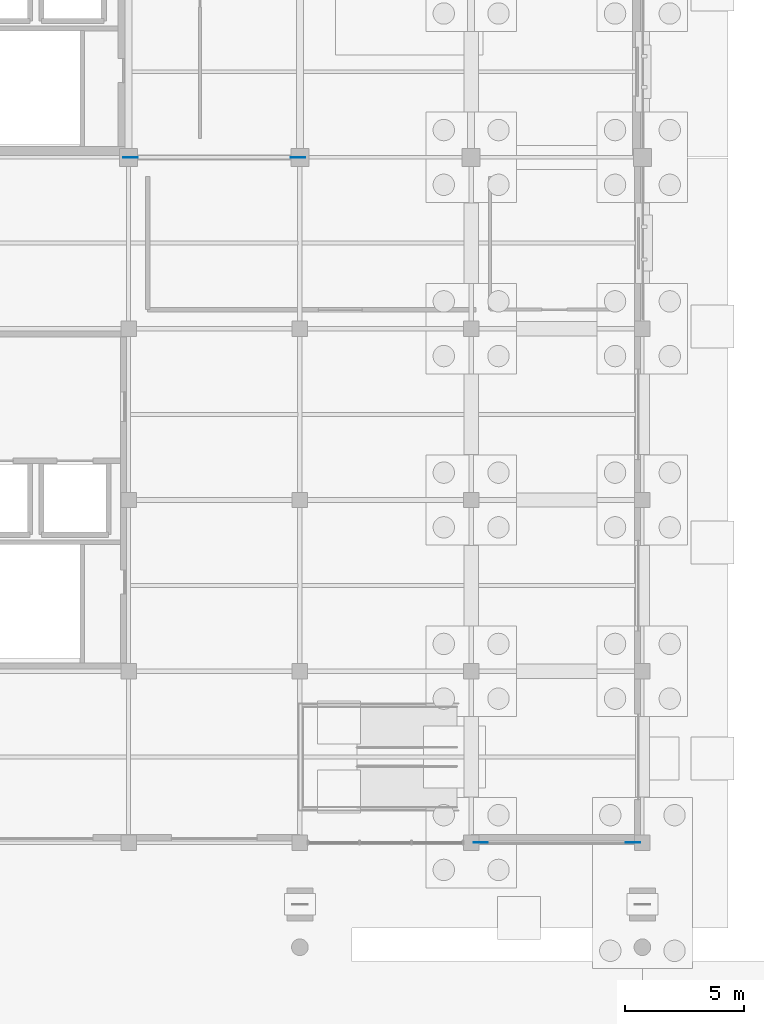
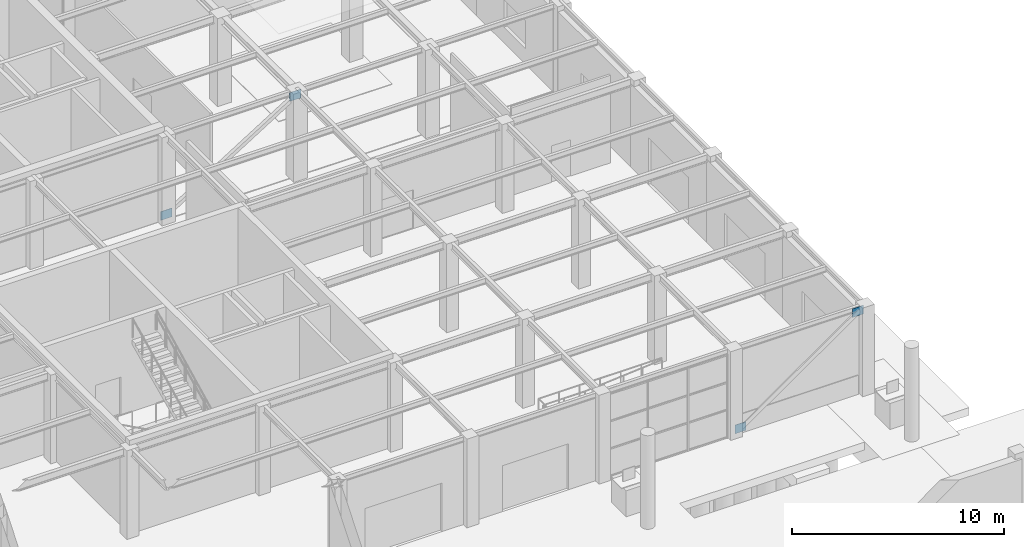
# One storey, part 54 of 75: 4 plates.
"""IFC4 building model written with IfcOpenShell, lengths in metres."""

from ifc_helpers import new_model, si_unit, direction, frame, origin, origin_2d, place, context, subcontext, project, spatial, rectangle, extrude, material, layer, layer_set, type_object, element, save


model = new_model("IFC4")

# Units and contexts
model_context = context("Model", 3, precision=1e-05, world=origin(), true_north=direction((0.0, 1.0)))
body_context = subcontext(model_context, "Body", "Model", "MODEL_VIEW")
ifc_project = project(units=[si_unit("LENGTHUNIT", "METRE"), si_unit("AREAUNIT", "SQUARE_METRE"), si_unit("VOLUMEUNIT", "CUBIC_METRE"), si_unit("PLANEANGLEUNIT", "RADIAN"), si_unit("MASSUNIT", "GRAM", prefix="KILO")], contexts=[model_context])

# Site, building, storey
site_placement = place(None, origin())
site = spatial("IfcSite", under=ifc_project, at=site_placement, CompositionType="ELEMENT")
building_placement = place(site_placement, origin())
building = spatial("IfcBuilding", under=site, at=building_placement, Name="Leyfeld Transit Interchange", CompositionType="ELEMENT")
storey_placement = place(building_placement, origin())
storey = spatial("IfcBuildingStorey", under=building, at=storey_placement, Name="L00", CompositionType="ELEMENT", Elevation=0.0)

# Plates
ifc_material = material(Name="Steel S355J2", Category="steel")
ifc_layer = layer(ifc_material, 0.02490234375, Name="Steel S355J2")
ifc_layer_set = layer_set([ifc_layer], Name="Steel S355J2")
plate_type = type_object("IfcPlateType", Name="PLT-GUS-25", PredefinedType="SHEET", material=ifc_layer_set)
for number, where, z_axis, x_axis, name in (
    (1, (21.679931640625, 93.60009765625, 0.050048828125), (0.0, 0.0, 1.0), (1.0, 0.0, 0.0), "Bracing Lower Gusset 001"),
    (2, (28.719970703125, 93.60009765625, 4.449951171875), (0.0, 0.0, 1.0), (1.0, 0.0, 0.0), "Bracing Upper Gusset 001"),
    (3, (36.39990234375, 64.800048828125, 0.050048828125), (0.0, 0.0, 1.0), (1.0, 0.0, 0.0), "Bracing Lower Gusset 004"),
    (4, (42.800048828125, 64.800048828125, 4.52001953125), (0.0, 0.0, 1.0), (1.0, 0.0, 0.0), "Bracing Upper Gusset 004"),
):
    element("IfcPlate", number, at=place(storey_placement, frame(where, z_axis=z_axis, x_axis=x_axis)), inside=storey, type_object=plate_type, Name=name, PredefinedType="SHEET", context=body_context, shape_type="SweptSolid", body=[
        extrude(rectangle(XDim=0.60009765625, YDim=0.02490234375, at=origin_2d()), origin(), (0.0, 0.0, 1.0), 0.5),
    ])

save(model, "model.ifc")
